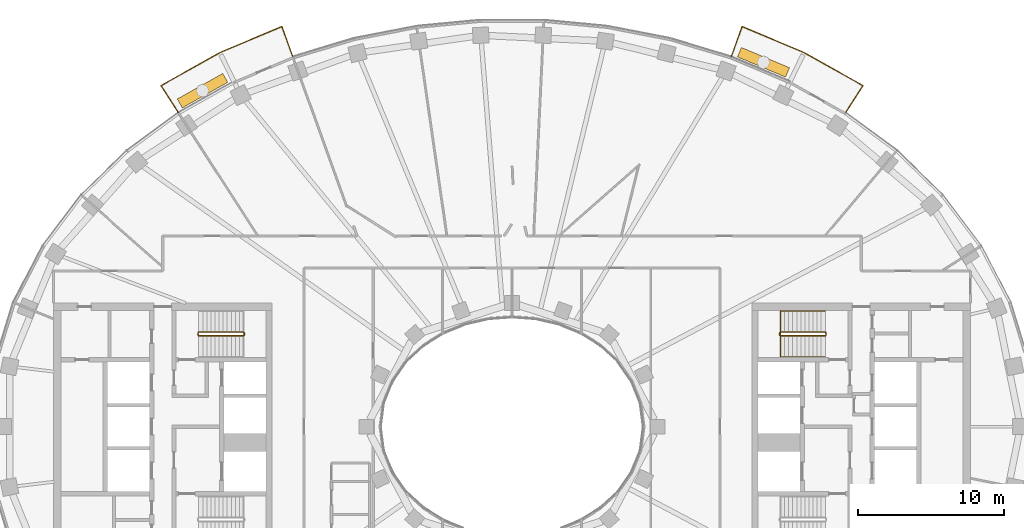
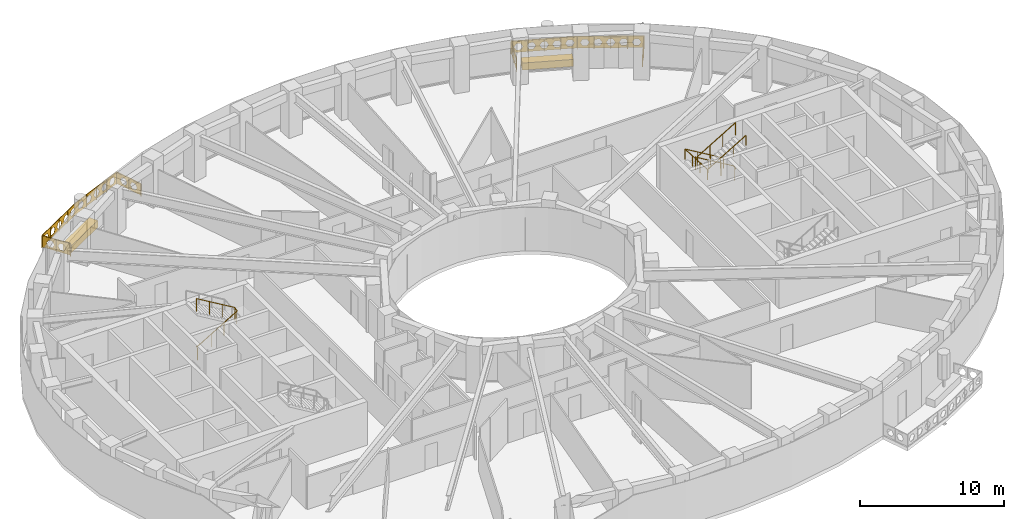
# One storey, part 14 of 15: 5 railings, 2 coverings.
"""IFC4 building model written with IfcOpenShell, lengths in metres."""

from ifc_helpers import new_model, si_unit, direction, frame, origin, origin_2d, place, context, subcontext, project, spatial, polyline, rectangle, outline, extrude, material, type_object, element, save


model = new_model("IFC4")

# Units and contexts
model_context = context("Model", 3, precision=1e-05, world=origin(), true_north=direction((0.0, 1.0)))
body_context = subcontext(model_context, "Body", "Model", "MODEL_VIEW")
ifc_project = project(units=[si_unit("LENGTHUNIT", "METRE"), si_unit("AREAUNIT", "SQUARE_METRE"), si_unit("VOLUMEUNIT", "CUBIC_METRE"), si_unit("PLANEANGLEUNIT", "RADIAN"), si_unit("MASSUNIT", "GRAM", prefix="KILO")], contexts=[model_context])

# Site, building, storey
site_placement = place(None, origin())
site = spatial("IfcSite", under=ifc_project, at=site_placement, CompositionType="ELEMENT")
building_placement = place(site_placement, origin())
building = spatial("IfcBuilding", under=site, at=building_placement, Name="Noorbagh Ring Tower", CompositionType="ELEMENT")
storey_placement = place(building_placement, frame((0.0, 0.0, 241.5)))
storey = spatial("IfcBuildingStorey", under=building, at=storey_placement, Name="L50", CompositionType="ELEMENT", Elevation=241.5)

# Railings
ifc_material_1 = material(Name="Stainless steel", Category="steel")
railing_type_1 = type_object("IfcRailingType", Name="CORE-STAIR-GUARD", PredefinedType="GUARDRAIL", material=ifc_material_1)
railing_1_placement = place(storey_placement, frame((-21.580078125, 6.300048828125, 0.0)))
element("IfcRailing", 1, at=railing_1_placement, inside=storey, type_object=railing_type_1, Name="L50 ST1 stair guard", PredefinedType="GUARDRAIL", context=body_context, shape_type="SweptSolid", body=[
    extrude(rectangle(XDim=0.048095703125, YDim=0.048095703125, at=origin_2d()), frame((0.0, 0.0, 1.076171875), z_axis=(0.0, 1.0, 0.0), x_axis=(-1.0, 0.0, 0.0)), (0.0, 0.0, 1.0), 0.14990234375),
    extrude(rectangle(XDim=0.048095703125, YDim=0.048095703125, at=origin_2d()), frame((0.0, 0.14990234375, 1.076171875), z_axis=(0.188775798145, -0.754182335027, 0.628945707965), x_axis=(0.970072785993, 0.242814311512, 0.0)), (0.0, 0.0, 1.0), 0.26513671875),
    extrude(rectangle(XDim=0.048095703125, YDim=0.048095703125, at=origin_2d()), frame((0.050048828125, -0.050048828125, 1.24267578125), z_axis=(0.859308565015, 0.0, 0.511457515432), x_axis=(0.0, 1.0, 0.0)), (0.0, 0.0, 1.0), 3.58447265625),
    extrude(rectangle(XDim=0.048095703125, YDim=0.048095703125, at=origin_2d()), frame((3.130126953125, -0.050048828125, 3.076171875), z_axis=(0.707106781187, 0.707106781187, 0.0), x_axis=(-0.707106781187, 0.707106781187, 0.0)), (0.0, 0.0, 1.0), 0.07080078125),
    extrude(rectangle(XDim=0.048095703125, YDim=0.048095703125, at=origin_2d()), frame((3.18017578125, 0.0, 3.076171875), z_axis=(0.0, 1.0, 0.0), x_axis=(-1.0, 0.0, 0.0)), (0.0, 0.0, 1.0), 0.14990234375),
    extrude(rectangle(XDim=0.048095703125, YDim=0.048095703125, at=origin_2d()), frame((3.18017578125, 0.14990234375, 3.076171875), z_axis=(-0.27628659633, 0.27628659633, 0.920506074601), x_axis=(-0.707106781187, -0.707106781187, 0.0)), (0.0, 0.0, 1.0), 0.18115234375),
    extrude(rectangle(XDim=0.048095703125, YDim=0.048095703125, at=origin_2d()), frame((3.130126953125, 0.199951171875, 3.24267578125), z_axis=(-0.859308565015, 0.0, 0.511457515432), x_axis=(0.0, -1.0, 0.0)), (0.0, 0.0, 1.0), 3.58447265625),
    extrude(rectangle(XDim=0.0419921875, YDim=0.0419921875, at=origin_2d()), origin(), (0.0, 0.0, 1.0), 1.052001953125),
    extrude(rectangle(XDim=0.0419921875, YDim=0.0419921875, at=origin_2d()), frame((1.07666015625, -0.050048828125, 0.77783203125)), (0.0, 0.0, 1.0), 1.052001953125),
    extrude(rectangle(XDim=0.0419921875, YDim=0.0419921875, at=origin_2d()), frame((2.103515625, -0.050048828125, 1.388916015625)), (0.0, 0.0, 1.0), 1.052001953125),
    extrude(rectangle(XDim=0.0419921875, YDim=0.0419921875, at=origin_2d()), frame((3.130126953125, -0.050048828125, 2.0)), (0.0, 0.0, 1.0), 1.052001953125),
    extrude(rectangle(XDim=0.0419921875, YDim=0.0419921875, at=origin_2d()), frame((3.130126953125, 0.199951171875, 2.166748046875)), (0.0, 0.0, 1.0), 1.052001953125),
    extrude(rectangle(XDim=0.0419921875, YDim=0.0419921875, at=origin_2d()), frame((2.103515625, 0.199951171875, 2.77783203125)), (0.0, 0.0, 1.0), 1.052001953125),
    extrude(rectangle(XDim=0.0419921875, YDim=0.0419921875, at=origin_2d()), frame((1.07666015625, 0.199951171875, 3.388916015625)), (0.0, 0.0, 1.0), 1.052001953125),
    extrude(rectangle(XDim=0.0419921875, YDim=0.0419921875, at=origin_2d()), frame((0.050048828125, 0.199951171875, 4.0)), (0.0, 0.0, 1.0), 1.052001953125),
])
railing_2_placement = place(storey_placement, frame((21.580078125, 6.449951171875, 0.0)))
element("IfcRailing", 2, at=railing_2_placement, inside=storey, type_object=railing_type_1, Name="L50 ST3 stair guard", PredefinedType="GUARDRAIL", context=body_context, shape_type="SweptSolid", body=[
    extrude(rectangle(XDim=0.048095703125, YDim=0.048095703125, at=origin_2d()), frame((0.0, 0.0, 1.076171875), z_axis=(0.0, -1.0, 0.0), x_axis=(1.0, 0.0, 0.0)), (0.0, 0.0, 1.0), 0.14990234375),
    extrude(rectangle(XDim=0.048095703125, YDim=0.048095703125, at=origin_2d()), frame((0.0, -0.14990234375, 1.076171875), z_axis=(-0.188775798145, 0.754182335027, 0.628945707965), x_axis=(-0.970072785993, -0.242814311512, 0.0)), (0.0, 0.0, 1.0), 0.26513671875),
    extrude(rectangle(XDim=0.048095703125, YDim=0.048095703125, at=origin_2d()), frame((-0.050048828125, 0.050048828125, 1.24267578125), z_axis=(-0.859308565015, 0.0, 0.511457515432), x_axis=(0.0, -1.0, 0.0)), (0.0, 0.0, 1.0), 3.58447265625),
    extrude(rectangle(XDim=0.048095703125, YDim=0.048095703125, at=origin_2d()), frame((-3.130126953125, 0.050048828125, 3.076171875), z_axis=(-0.707106781187, -0.707106781187, 0.0), x_axis=(0.707106781187, -0.707106781187, 0.0)), (0.0, 0.0, 1.0), 0.07080078125),
    extrude(rectangle(XDim=0.048095703125, YDim=0.048095703125, at=origin_2d()), frame((-3.18017578125, 0.0, 3.076171875), z_axis=(0.0, -1.0, 0.0), x_axis=(1.0, 0.0, 0.0)), (0.0, 0.0, 1.0), 0.14990234375),
    extrude(rectangle(XDim=0.048095703125, YDim=0.048095703125, at=origin_2d()), frame((-3.18017578125, -0.14990234375, 3.076171875), z_axis=(0.27628659633, -0.27628659633, 0.920506074601), x_axis=(0.707106781187, 0.707106781187, 0.0)), (0.0, 0.0, 1.0), 0.18115234375),
    extrude(rectangle(XDim=0.048095703125, YDim=0.048095703125, at=origin_2d()), frame((-3.130126953125, -0.199951171875, 3.24267578125), z_axis=(0.859308565015, 0.0, 0.511457515432), x_axis=(0.0, 1.0, 0.0)), (0.0, 0.0, 1.0), 3.58447265625),
    extrude(rectangle(XDim=0.0419921875, YDim=0.0419921875, at=origin_2d()), origin(), (0.0, 0.0, 1.0), 1.052001953125),
    extrude(rectangle(XDim=0.0419921875, YDim=0.0419921875, at=origin_2d()), frame((-1.07666015625, 0.050048828125, 0.77783203125)), (0.0, 0.0, 1.0), 1.052001953125),
    extrude(rectangle(XDim=0.0419921875, YDim=0.0419921875, at=origin_2d()), frame((-2.103515625, 0.050048828125, 1.388916015625)), (0.0, 0.0, 1.0), 1.052001953125),
    extrude(rectangle(XDim=0.0419921875, YDim=0.0419921875, at=origin_2d()), frame((-3.130126953125, 0.050048828125, 2.0)), (0.0, 0.0, 1.0), 1.052001953125),
    extrude(rectangle(XDim=0.0419921875, YDim=0.0419921875, at=origin_2d()), frame((-3.130126953125, -0.199951171875, 2.166748046875)), (0.0, 0.0, 1.0), 1.052001953125),
    extrude(rectangle(XDim=0.0419921875, YDim=0.0419921875, at=origin_2d()), frame((-2.103515625, -0.199951171875, 2.77783203125)), (0.0, 0.0, 1.0), 1.052001953125),
    extrude(rectangle(XDim=0.0419921875, YDim=0.0419921875, at=origin_2d()), frame((-1.07666015625, -0.199951171875, 3.388916015625)), (0.0, 0.0, 1.0), 1.052001953125),
    extrude(rectangle(XDim=0.0419921875, YDim=0.0419921875, at=origin_2d()), frame((-0.050048828125, -0.199951171875, 4.0)), (0.0, 0.0, 1.0), 1.052001953125),
])
ifc_material_2 = material(Name="Stainless steel", Category="steel")
railing_type_2 = type_object("IfcRailingType", Name="CORE-STAIR-HANDRAIL", PredefinedType="HANDRAIL", material=ifc_material_2)
railing_3_placement = place(storey_placement, frame((21.530029296875, 7.949951171875, 0.166748046875)))
element("IfcRailing", 3, at=railing_3_placement, inside=storey, type_object=railing_type_2, Name="L50 ST3 stair handrail", PredefinedType="HANDRAIL", context=body_context, shape_type="SweptSolid", body=[
    extrude(rectangle(XDim=0.048095703125, YDim=0.048095703125, at=origin_2d()), frame((0.0, 0.0, 0.8759765625), z_axis=(-0.859308565015, 0.0, 0.511457515432), x_axis=(0.0, -1.0, 0.0)), (0.0, 0.0, 1.0), 3.58447265625),
    extrude(rectangle(XDim=0.048095703125, YDim=0.048095703125, at=origin_2d()), frame((-3.080078125, 0.0, 2.708984375), z_axis=(0.0, -0.998601747152, 0.052863509014), x_axis=(1.0, 0.0, 0.0)), (0.0, 0.0, 1.0), 3.154296875),
    extrude(rectangle(XDim=0.048095703125, YDim=0.048095703125, at=origin_2d()), frame((-3.080078125, -3.14990234375, 2.8759765625), z_axis=(0.859308565015, 0.0, 0.511457515432), x_axis=(0.0, 1.0, 0.0)), (0.0, 0.0, 1.0), 3.58447265625),
    extrude(rectangle(XDim=0.0419921875, YDim=0.0419921875, at=origin_2d()), origin(), (0.0, 0.0, 1.0), 0.851806640625),
    extrude(rectangle(XDim=0.0419921875, YDim=0.0419921875, at=origin_2d()), frame((-1.026611328125, 0.0, 0.611083984375)), (0.0, 0.0, 1.0), 0.851806640625),
    extrude(rectangle(XDim=0.0419921875, YDim=0.0419921875, at=origin_2d()), frame((-2.053466796875, 0.0, 1.22216796875)), (0.0, 0.0, 1.0), 0.851806640625),
    extrude(rectangle(XDim=0.0419921875, YDim=0.0419921875, at=origin_2d()), frame((-3.080078125, 0.0, 1.833251953125)), (0.0, 0.0, 1.0), 0.851806640625),
    extrude(rectangle(XDim=0.0419921875, YDim=0.0419921875, at=origin_2d()), frame((-3.080078125, -1.050048828125, 1.888916015625)), (0.0, 0.0, 1.0), 0.851806640625),
    extrude(rectangle(XDim=0.0419921875, YDim=0.0419921875, at=origin_2d()), frame((-3.080078125, -2.099853515625, 1.9443359375)), (0.0, 0.0, 1.0), 0.851806640625),
    extrude(rectangle(XDim=0.0419921875, YDim=0.0419921875, at=origin_2d()), frame((-3.080078125, -3.14990234375, 2.0)), (0.0, 0.0, 1.0), 0.851806640625),
    extrude(rectangle(XDim=0.0419921875, YDim=0.0419921875, at=origin_2d()), frame((-2.053466796875, -3.14990234375, 2.611083984375)), (0.0, 0.0, 1.0), 0.851806640625),
    extrude(rectangle(XDim=0.0419921875, YDim=0.0419921875, at=origin_2d()), frame((-1.026611328125, -3.14990234375, 3.22216796875)), (0.0, 0.0, 1.0), 0.851806640625),
    extrude(rectangle(XDim=0.0419921875, YDim=0.0419921875, at=origin_2d()), frame((0.0, -3.14990234375, 3.833251953125)), (0.0, 0.0, 1.0), 0.851806640625),
])
ifc_material_3 = material(Name="Steel S275 black powder-coated", Category="steel")
railing_type_3 = type_object("IfcRailingType", Name="ENV-GUARD", PredefinedType="GUARDRAIL", material=ifc_material_3)
railing_4_placement = place(storey_placement, frame((22.9326171875, 21.583740234375, 0.0)))
element("IfcRailing", 4, at=railing_4_placement, inside=storey, type_object=railing_type_3, Name="Balcony guard BN02", PredefinedType="GUARDRAIL", context=body_context, shape_type="SweptSolid", body=[
    extrude(rectangle(XDim=0.048095703125, YDim=0.048095703125, at=origin_2d()), frame((0.0, 0.0, 1.076171875), z_axis=(0.542268136821, 0.840205491406, 0.0), x_axis=(-0.840205491406, 0.542268136821, 0.0)), (0.0, 0.0, 1.0), 2.204345703125),
    extrude(rectangle(XDim=0.048095703125, YDim=0.048095703125, at=origin_2d()), frame((1.1953125, 1.85205078125, 1.076171875), z_axis=(-0.872052247658, 0.489412788303, 0.0), x_axis=(-0.489412788303, -0.872052247658, 0.0)), (0.0, 0.0, 1.0), 4.646240234375),
    extrude(rectangle(XDim=0.048095703125, YDim=0.048095703125, at=origin_2d()), frame((-2.8564453125, 4.1259765625, 1.076171875), z_axis=(-0.921809087722, 0.387644174203, 0.0), x_axis=(-0.387644174203, -0.921809087722, 0.0)), (0.0, 0.0, 1.0), 4.627197265625),
    extrude(rectangle(XDim=0.048095703125, YDim=0.048095703125, at=origin_2d()), frame((-7.121826171875, 5.919677734375, 1.076171875), z_axis=(-0.338350546839, -0.941020141896, 0.0), x_axis=(0.941020141896, -0.338350546839, 0.0)), (0.0, 0.0, 1.0), 2.202880859375),
    extrude(rectangle(XDim=0.0419921875, YDim=0.0419921875, at=origin_2d()), origin(), (0.0, 0.0, 1.0), 1.052001953125),
    extrude(rectangle(XDim=0.0419921875, YDim=0.0419921875, at=origin_2d()), frame((0.59765625, 0.926025390625, 0.0)), (0.0, 0.0, 1.0), 1.052001953125),
    extrude(rectangle(XDim=0.0419921875, YDim=0.0419921875, at=origin_2d()), frame((1.1953125, 1.85205078125, 0.0)), (0.0, 0.0, 1.0), 1.052001953125),
    extrude(rectangle(XDim=0.0419921875, YDim=0.0419921875, at=origin_2d()), frame((0.182373046875, 2.42041015625, 0.0)), (0.0, 0.0, 1.0), 1.052001953125),
    extrude(rectangle(XDim=0.0419921875, YDim=0.0419921875, at=origin_2d()), frame((-0.83056640625, 2.989013671875, 0.0)), (0.0, 0.0, 1.0), 1.052001953125),
    extrude(rectangle(XDim=0.0419921875, YDim=0.0419921875, at=origin_2d()), frame((-1.843505859375, 3.5576171875, 0.0)), (0.0, 0.0, 1.0), 1.052001953125),
    extrude(rectangle(XDim=0.0419921875, YDim=0.0419921875, at=origin_2d()), frame((-2.8564453125, 4.1259765625, 0.0)), (0.0, 0.0, 1.0), 1.052001953125),
    extrude(rectangle(XDim=0.0419921875, YDim=0.0419921875, at=origin_2d()), frame((-3.9228515625, 4.574462890625, 0.0)), (0.0, 0.0, 1.0), 1.052001953125),
    extrude(rectangle(XDim=0.0419921875, YDim=0.0419921875, at=origin_2d()), frame((-4.9892578125, 5.02294921875, 0.0)), (0.0, 0.0, 1.0), 1.052001953125),
    extrude(rectangle(XDim=0.0419921875, YDim=0.0419921875, at=origin_2d()), frame((-6.055419921875, 5.47119140625, 0.0)), (0.0, 0.0, 1.0), 1.052001953125),
    extrude(rectangle(XDim=0.0419921875, YDim=0.0419921875, at=origin_2d()), frame((-7.121826171875, 5.919677734375, 0.0)), (0.0, 0.0, 1.0), 1.052001953125),
    extrude(rectangle(XDim=0.0419921875, YDim=0.0419921875, at=origin_2d()), frame((-7.49462890625, 4.88330078125, 0.0)), (0.0, 0.0, 1.0), 1.052001953125),
    extrude(rectangle(XDim=0.0419921875, YDim=0.0419921875, at=origin_2d()), frame((-7.8671875, 3.8466796875, 0.0)), (0.0, 0.0, 1.0), 1.052001953125),
    extrude(outline(polyline([(0.0, 0.10009765625), (2.204345703125, 0.10009765625), (2.204345703125, 1.031982421875), (0.0, 1.031982421875), (0.0, 0.10009765625)]), holes=[polyline([(0.962158203125, 0.56591796875), (0.80712890625, 0.83447265625), (0.4970703125, 0.83447265625), (0.342041015625, 0.56591796875), (0.4970703125, 0.297607421875), (0.80712890625, 0.297607421875), (0.962158203125, 0.56591796875)]), polyline([(1.862060546875, 0.56591796875), (1.70703125, 0.83447265625), (1.397216796875, 0.83447265625), (1.2421875, 0.56591796875), (1.397216796875, 0.297607421875), (1.70703125, 0.297607421875), (1.862060546875, 0.56591796875)])]), frame((-0.00830078125, 0.00537109375, 0.0), z_axis=(0.840205491406, -0.542268136821, 0.0), x_axis=(0.542268136821, 0.840205491406, 0.0)), (0.0, 0.0, 1.0), 0.02001953125),
    extrude(outline(polyline([(0.0, 0.10009765625), (4.646240234375, 0.10009765625), (4.646240234375, 1.031982421875), (0.0, 1.031982421875), (0.0, 0.10009765625)]), holes=[polyline([(0.8330078125, 0.56591796875), (0.67822265625, 0.83447265625), (0.3681640625, 0.83447265625), (0.213134765625, 0.56591796875), (0.3681640625, 0.297607421875), (0.67822265625, 0.297607421875), (0.8330078125, 0.56591796875)]), polyline([(1.733154296875, 0.56591796875), (1.578125, 0.83447265625), (1.26806640625, 0.83447265625), (1.113037109375, 0.56591796875), (1.26806640625, 0.297607421875), (1.578125, 0.297607421875), (1.733154296875, 0.56591796875)]), polyline([(2.633056640625, 0.56591796875), (2.47802734375, 0.83447265625), (2.168212890625, 0.83447265625), (2.01318359375, 0.56591796875), (2.168212890625, 0.297607421875), (2.47802734375, 0.297607421875), (2.633056640625, 0.56591796875)]), polyline([(3.533203125, 0.56591796875), (3.378173828125, 0.83447265625), (3.068115234375, 0.83447265625), (2.9130859375, 0.56591796875), (3.068115234375, 0.297607421875), (3.378173828125, 0.297607421875), (3.533203125, 0.56591796875)]), polyline([(4.43310546875, 0.56591796875), (4.278076171875, 0.83447265625), (3.968017578125, 0.83447265625), (3.813232421875, 0.56591796875), (3.968017578125, 0.297607421875), (4.278076171875, 0.297607421875), (4.43310546875, 0.56591796875)])]), frame((1.1904296875, 1.84326171875, 0.0), z_axis=(0.489412788303, 0.872052247658, 0.0), x_axis=(-0.872052247658, 0.489412788303, 0.0)), (0.0, 0.0, 1.0), 0.02001953125),
    extrude(outline(polyline([(0.0, 0.10009765625), (4.627197265625, 0.10009765625), (4.627197265625, 1.031982421875), (0.0, 1.031982421875), (0.0, 0.10009765625)]), holes=[polyline([(0.823486328125, 0.56591796875), (0.668701171875, 0.83447265625), (0.358642578125, 0.83447265625), (0.20361328125, 0.56591796875), (0.358642578125, 0.297607421875), (0.668701171875, 0.297607421875), (0.823486328125, 0.56591796875)]), polyline([(1.7236328125, 0.56591796875), (1.568603515625, 0.83447265625), (1.258544921875, 0.83447265625), (1.103515625, 0.56591796875), (1.258544921875, 0.297607421875), (1.568603515625, 0.297607421875), (1.7236328125, 0.56591796875)]), polyline([(2.62353515625, 0.56591796875), (2.468505859375, 0.83447265625), (2.15869140625, 0.83447265625), (2.003662109375, 0.56591796875), (2.15869140625, 0.297607421875), (2.468505859375, 0.297607421875), (2.62353515625, 0.56591796875)]), polyline([(3.523681640625, 0.56591796875), (3.36865234375, 0.83447265625), (3.05859375, 0.83447265625), (2.903564453125, 0.56591796875), (3.05859375, 0.297607421875), (3.36865234375, 0.297607421875), (3.523681640625, 0.56591796875)]), polyline([(4.423583984375, 0.56591796875), (4.2685546875, 0.83447265625), (3.95849609375, 0.83447265625), (3.8037109375, 0.56591796875), (3.95849609375, 0.297607421875), (4.2685546875, 0.297607421875), (4.423583984375, 0.56591796875)])]), frame((-2.8603515625, 4.11669921875, 0.0), z_axis=(0.387644174203, 0.921809087722, 0.0), x_axis=(-0.921809087722, 0.387644174203, 0.0)), (0.0, 0.0, 1.0), 0.02001953125),
    extrude(outline(polyline([(0.0, 0.10009765625), (2.202880859375, 0.10009765625), (2.202880859375, 1.031982421875), (0.0, 1.031982421875), (0.0, 0.10009765625)]), holes=[polyline([(0.96142578125, 0.56591796875), (0.806396484375, 0.83447265625), (0.49658203125, 0.83447265625), (0.341552734375, 0.56591796875), (0.49658203125, 0.297607421875), (0.806396484375, 0.297607421875), (0.96142578125, 0.56591796875)]), polyline([(1.861572265625, 0.56591796875), (1.70654296875, 0.83447265625), (1.396484375, 0.83447265625), (1.241455078125, 0.56591796875), (1.396484375, 0.297607421875), (1.70654296875, 0.297607421875), (1.861572265625, 0.56591796875)])]), frame((-7.1123046875, 5.916259765625, 0.0), z_axis=(-0.941020141896, 0.338350546839, 0.0), x_axis=(-0.338350546839, -0.941020141896, 0.0)), (0.0, 0.0, 1.0), 0.02001953125),
])
railing_5_placement = place(storey_placement, frame((-15.0654296875, 25.430419921875, 0.0)))
element("IfcRailing", 5, at=railing_5_placement, inside=storey, type_object=railing_type_3, Name="Balcony guard BN05", PredefinedType="GUARDRAIL", context=body_context, shape_type="SweptSolid", body=[
    extrude(rectangle(XDim=0.048095703125, YDim=0.048095703125, at=origin_2d()), frame((0.0, 0.0, 1.076171875), z_axis=(-0.338350546839, 0.941020141896, 0.0), x_axis=(-0.941020141896, -0.338350546839, 0.0)), (0.0, 0.0, 1.0), 2.202880859375),
    extrude(rectangle(XDim=0.048095703125, YDim=0.048095703125, at=origin_2d()), frame((-0.745361328125, 2.072998046875, 1.076171875), z_axis=(-0.921809087722, -0.387644174203, 0.0), x_axis=(0.387644174203, -0.921809087722, 0.0)), (0.0, 0.0, 1.0), 4.627197265625),
    extrude(rectangle(XDim=0.048095703125, YDim=0.048095703125, at=origin_2d()), frame((-5.0107421875, 0.279296875, 1.076171875), z_axis=(-0.872052247658, -0.489412788303, 0.0), x_axis=(0.489412788303, -0.872052247658, 0.0)), (0.0, 0.0, 1.0), 4.646240234375),
    extrude(rectangle(XDim=0.048095703125, YDim=0.048095703125, at=origin_2d()), frame((-9.0625, -1.99462890625, 1.076171875), z_axis=(0.542268136821, -0.840205491406, 0.0), x_axis=(0.840205491406, 0.542268136821, 0.0)), (0.0, 0.0, 1.0), 2.204345703125),
    extrude(rectangle(XDim=0.0419921875, YDim=0.0419921875, at=origin_2d()), origin(), (0.0, 0.0, 1.0), 1.052001953125),
    extrude(rectangle(XDim=0.0419921875, YDim=0.0419921875, at=origin_2d()), frame((-0.37255859375, 1.03662109375, 0.0)), (0.0, 0.0, 1.0), 1.052001953125),
    extrude(rectangle(XDim=0.0419921875, YDim=0.0419921875, at=origin_2d()), frame((-0.745361328125, 2.072998046875, 0.0)), (0.0, 0.0, 1.0), 1.052001953125),
    extrude(rectangle(XDim=0.0419921875, YDim=0.0419921875, at=origin_2d()), frame((-1.811767578125, 1.62451171875, 0.0)), (0.0, 0.0, 1.0), 1.052001953125),
    extrude(rectangle(XDim=0.0419921875, YDim=0.0419921875, at=origin_2d()), frame((-2.8779296875, 1.17626953125, 0.0)), (0.0, 0.0, 1.0), 1.052001953125),
    extrude(rectangle(XDim=0.0419921875, YDim=0.0419921875, at=origin_2d()), frame((-3.9443359375, 0.727783203125, 0.0)), (0.0, 0.0, 1.0), 1.052001953125),
    extrude(rectangle(XDim=0.0419921875, YDim=0.0419921875, at=origin_2d()), frame((-5.0107421875, 0.279296875, 0.0)), (0.0, 0.0, 1.0), 1.052001953125),
    extrude(rectangle(XDim=0.0419921875, YDim=0.0419921875, at=origin_2d()), frame((-6.023681640625, -0.2890625, 0.0)), (0.0, 0.0, 1.0), 1.052001953125),
    extrude(rectangle(XDim=0.0419921875, YDim=0.0419921875, at=origin_2d()), frame((-7.03662109375, -0.857666015625, 0.0)), (0.0, 0.0, 1.0), 1.052001953125),
    extrude(rectangle(XDim=0.0419921875, YDim=0.0419921875, at=origin_2d()), frame((-8.049560546875, -1.42626953125, 0.0)), (0.0, 0.0, 1.0), 1.052001953125),
    extrude(rectangle(XDim=0.0419921875, YDim=0.0419921875, at=origin_2d()), frame((-9.0625, -1.99462890625, 0.0)), (0.0, 0.0, 1.0), 1.052001953125),
    extrude(rectangle(XDim=0.0419921875, YDim=0.0419921875, at=origin_2d()), frame((-8.46484375, -2.920654296875, 0.0)), (0.0, 0.0, 1.0), 1.052001953125),
    extrude(rectangle(XDim=0.0419921875, YDim=0.0419921875, at=origin_2d()), frame((-7.8671875, -3.8466796875, 0.0)), (0.0, 0.0, 1.0), 1.052001953125),
    extrude(outline(polyline([(0.0, 0.10009765625), (2.202880859375, 0.10009765625), (2.202880859375, 1.031982421875), (0.0, 1.031982421875), (0.0, 0.10009765625)]), holes=[polyline([(0.96142578125, 0.56591796875), (0.806396484375, 0.83447265625), (0.49658203125, 0.83447265625), (0.341552734375, 0.56591796875), (0.49658203125, 0.297607421875), (0.806396484375, 0.297607421875), (0.96142578125, 0.56591796875)]), polyline([(1.861572265625, 0.56591796875), (1.70654296875, 0.83447265625), (1.396484375, 0.83447265625), (1.241455078125, 0.56591796875), (1.396484375, 0.297607421875), (1.70654296875, 0.297607421875), (1.861572265625, 0.56591796875)])]), frame((-0.009521484375, -0.00341796875, 0.0), z_axis=(0.941020141896, 0.338350546839, 0.0), x_axis=(-0.338350546839, 0.941020141896, 0.0)), (0.0, 0.0, 1.0), 0.02001953125),
    extrude(outline(polyline([(0.0, 0.10009765625), (4.627197265625, 0.10009765625), (4.627197265625, 1.031982421875), (0.0, 1.031982421875), (0.0, 0.10009765625)]), holes=[polyline([(0.823486328125, 0.56591796875), (0.668701171875, 0.83447265625), (0.358642578125, 0.83447265625), (0.20361328125, 0.56591796875), (0.358642578125, 0.297607421875), (0.668701171875, 0.297607421875), (0.823486328125, 0.56591796875)]), polyline([(1.7236328125, 0.56591796875), (1.568603515625, 0.83447265625), (1.258544921875, 0.83447265625), (1.103515625, 0.56591796875), (1.258544921875, 0.297607421875), (1.568603515625, 0.297607421875), (1.7236328125, 0.56591796875)]), polyline([(2.62353515625, 0.56591796875), (2.468505859375, 0.83447265625), (2.15869140625, 0.83447265625), (2.003662109375, 0.56591796875), (2.15869140625, 0.297607421875), (2.468505859375, 0.297607421875), (2.62353515625, 0.56591796875)]), polyline([(3.523681640625, 0.56591796875), (3.36865234375, 0.83447265625), (3.05859375, 0.83447265625), (2.903564453125, 0.56591796875), (3.05859375, 0.297607421875), (3.36865234375, 0.297607421875), (3.523681640625, 0.56591796875)]), polyline([(4.423583984375, 0.56591796875), (4.2685546875, 0.83447265625), (3.95849609375, 0.83447265625), (3.8037109375, 0.56591796875), (3.95849609375, 0.297607421875), (4.2685546875, 0.297607421875), (4.423583984375, 0.56591796875)])]), frame((-0.741455078125, 2.063720703125, 0.0), z_axis=(-0.387644174203, 0.921809087722, 0.0), x_axis=(-0.921809087722, -0.387644174203, 0.0)), (0.0, 0.0, 1.0), 0.02001953125),
    extrude(outline(polyline([(0.0, 0.10009765625), (4.646240234375, 0.10009765625), (4.646240234375, 1.031982421875), (0.0, 1.031982421875), (0.0, 0.10009765625)]), holes=[polyline([(0.8330078125, 0.56591796875), (0.67822265625, 0.83447265625), (0.3681640625, 0.83447265625), (0.213134765625, 0.56591796875), (0.3681640625, 0.297607421875), (0.67822265625, 0.297607421875), (0.8330078125, 0.56591796875)]), polyline([(1.733154296875, 0.56591796875), (1.578125, 0.83447265625), (1.26806640625, 0.83447265625), (1.113037109375, 0.56591796875), (1.26806640625, 0.297607421875), (1.578125, 0.297607421875), (1.733154296875, 0.56591796875)]), polyline([(2.633056640625, 0.56591796875), (2.47802734375, 0.83447265625), (2.168212890625, 0.83447265625), (2.01318359375, 0.56591796875), (2.168212890625, 0.297607421875), (2.47802734375, 0.297607421875), (2.633056640625, 0.56591796875)]), polyline([(3.533203125, 0.56591796875), (3.378173828125, 0.83447265625), (3.068115234375, 0.83447265625), (2.9130859375, 0.56591796875), (3.068115234375, 0.297607421875), (3.378173828125, 0.297607421875), (3.533203125, 0.56591796875)]), polyline([(4.43310546875, 0.56591796875), (4.278076171875, 0.83447265625), (3.968017578125, 0.83447265625), (3.813232421875, 0.56591796875), (3.968017578125, 0.297607421875), (4.278076171875, 0.297607421875), (4.43310546875, 0.56591796875)])]), frame((-5.005859375, 0.2705078125, 0.0), z_axis=(-0.489412788303, 0.872052247658, 0.0), x_axis=(-0.872052247658, -0.489412788303, 0.0)), (0.0, 0.0, 1.0), 0.02001953125),
    extrude(outline(polyline([(0.0, 0.10009765625), (2.204345703125, 0.10009765625), (2.204345703125, 1.031982421875), (0.0, 1.031982421875), (0.0, 0.10009765625)]), holes=[polyline([(0.962158203125, 0.56591796875), (0.80712890625, 0.83447265625), (0.4970703125, 0.83447265625), (0.342041015625, 0.56591796875), (0.4970703125, 0.297607421875), (0.80712890625, 0.297607421875), (0.962158203125, 0.56591796875)]), polyline([(1.862060546875, 0.56591796875), (1.70703125, 0.83447265625), (1.397216796875, 0.83447265625), (1.2421875, 0.56591796875), (1.397216796875, 0.297607421875), (1.70703125, 0.297607421875), (1.862060546875, 0.56591796875)])]), frame((-9.05419921875, -1.9892578125, 0.0), z_axis=(-0.840205491406, -0.542268136821, 0.0), x_axis=(0.542268136821, -0.840205491406, 0.0)), (0.0, 0.0, 1.0), 0.02001953125),
])

# Coverings
ifc_material_4 = material(Name="Concrete C30/37 planter with soil", Category="concrete")
covering_type = type_object("IfcCoveringType", Name="ENV-PLANTER", PredefinedType="CLADDING", material=ifc_material_4)
covering_1_placement = place(storey_placement, frame((17.280517578125, 25.041259765625, 0.0), z_axis=(0.0, 0.0, 1.0), x_axis=(-0.921811566494, 0.387638279686, 0.0)))
element("IfcCovering", 6, at=covering_1_placement, inside=storey, type_object=covering_type, Name="PLANTER BN02", ObjectType="PLANTER", PredefinedType="CLADDING", context=body_context, shape_type="SweptSolid", body=[
    extrude(rectangle(XDim=3.5859375, YDim=0.699951171875, at=origin_2d()), origin(), (0.0, 0.0, 1.0), 0.60009765625),
])
covering_2_placement = place(storey_placement, frame((-21.26513671875, 23.093017578125, 0.0), z_axis=(0.0, 0.0, 1.0), x_axis=(-0.872044586249, -0.48942643941, 0.0)))
element("IfcCovering", 7, at=covering_2_placement, inside=storey, type_object=covering_type, Name="PLANTER BN05", ObjectType="PLANTER", PredefinedType="CLADDING", context=body_context, shape_type="SweptSolid", body=[
    extrude(rectangle(XDim=3.58544921875, YDim=0.699951171875, at=origin_2d()), origin(), (0.0, 0.0, 1.0), 0.60009765625),
])

save(model, "model.ifc")
